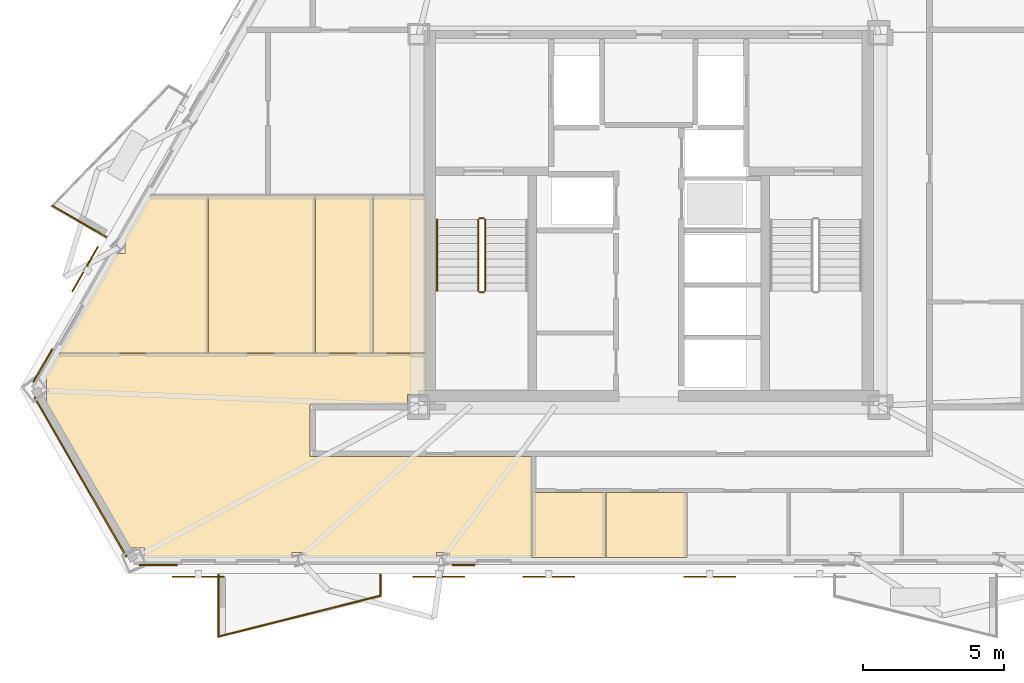
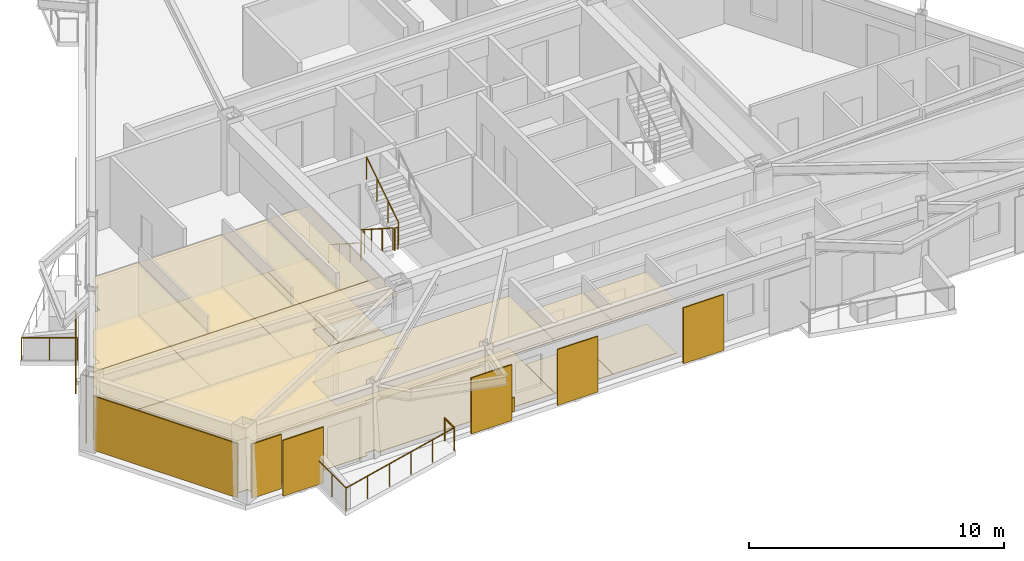
# One storey, part 6 of 10: 18 coverings, 9 railings, 5 shading devices.
"""IFC4 building model written with IfcOpenShell, lengths in metres."""

from ifc_helpers import new_model, si_unit, direction, frame, origin, origin_2d, place, context, subcontext, project, spatial, polyline, rectangle, circle, outline, extrude, material, layer, layer_set, type_object, element, save


model = new_model("IFC4")

# Units and contexts
model_context = context("Model", 3, precision=1e-05, world=origin(), true_north=direction((0.0, 1.0)))
body_context = subcontext(model_context, "Body", "Model", "MODEL_VIEW")
ifc_project = project(units=[si_unit("LENGTHUNIT", "METRE"), si_unit("AREAUNIT", "SQUARE_METRE"), si_unit("VOLUMEUNIT", "CUBIC_METRE"), si_unit("PLANEANGLEUNIT", "RADIAN"), si_unit("MASSUNIT", "GRAM", prefix="KILO")], contexts=[model_context])

# Site, building, storey
site_placement = place(None, origin())
site = spatial("IfcSite", under=ifc_project, at=site_placement, CompositionType="ELEMENT")
building_placement = place(site_placement, origin())
building = spatial("IfcBuilding", under=site, at=building_placement, Name="Oramaril Tower", CompositionType="ELEMENT")
storey_placement = place(building_placement, frame((0.0, 0.0, 209.10009765625)))
storey = spatial("IfcBuildingStorey", under=building, at=storey_placement, Name="L55", CompositionType="ELEMENT", Elevation=209.10009765625)

# Coverings
ifc_material_1 = material(Name="Mineral Fibre Acoustic Ceiling")
ifc_layer_1 = layer(ifc_material_1, 0.02001953125)
ifc_layer_set_1 = layer_set([ifc_layer_1], Name="CVT-CEIL")
covering_type_1 = type_object("IfcCoveringType", Name="CVT-CEIL", PredefinedType="CEILING", material=ifc_layer_set_1)
covering_1_placement = place(storey_placement, frame((0.0, 0.0, 2.511962890625)))
element("IfcCovering", 1, at=covering_1_placement, inside=storey, type_object=covering_type_1, Name="L55 Acoustic Suspended Ceiling 6", PredefinedType="CEILING", context=body_context, shape_type="SweptSolid", body=[
    extrude(outline(polyline([(35.9619140625, 5.625244140625), (33.35791015625, 5.625244140625), (33.35791015625, 7.9296875), (35.9619140625, 7.9296875), (35.9619140625, 5.625244140625)])), origin(), (0.0, 0.0, 1.0), 0.02001953125),
])
covering_2_placement = place(storey_placement, frame((0.0, 0.0, 2.511962890625)))
element("IfcCovering", 2, at=covering_2_placement, inside=storey, type_object=covering_type_1, Name="L55 Acoustic Suspended Ceiling 7", PredefinedType="CEILING", context=body_context, shape_type="SweptSolid", body=[
    extrude(outline(polyline([(35.98193359375, 5.625244140625), (35.98193359375, 7.9296875), (38.855712890625, 7.9296875), (38.855712890625, 5.625244140625), (35.98193359375, 5.625244140625)])), origin(), (0.0, 0.0, 1.0), 0.02001953125),
])
covering_3_placement = place(storey_placement, frame((0.0, 0.0, 2.511962890625)))
element("IfcCovering", 3, at=covering_3_placement, inside=storey, type_object=covering_type_1, Name="L55 Acoustic Suspended Ceiling 12", PredefinedType="CEILING", context=body_context, shape_type="SweptSolid", body=[
    extrude(outline(polyline([(29.60009765625, 12.839599609375), (29.60009765625, 11.39501953125), (28.955078125, 11.39501953125), (28.955078125, 11.050048828125), (25.52001953125, 11.050048828125), (25.51806640625, 11.0498046875), (25.51611328125, 11.049560546875), (25.51416015625, 11.049072265625), (25.51220703125, 11.048583984375), (25.510498046875, 11.047607421875), (25.5087890625, 11.046630859375), (25.50732421875, 11.04541015625), (25.505859375, 11.044189453125), (25.50439453125, 11.042724609375), (25.50341796875, 11.041015625), (25.50244140625, 11.039306640625), (25.50146484375, 11.03759765625), (25.5009765625, 11.035888671875), (25.50048828125, 11.033935546875), (25.5, 11.031982421875), (25.5, 11.030029296875), (25.5, 9.219970703125), (25.5, 9.218017578125), (25.50048828125, 9.216064453125), (25.5009765625, 9.214111328125), (25.50146484375, 9.21240234375), (25.50244140625, 9.210693359375), (25.50341796875, 9.208984375), (25.50439453125, 9.207275390625), (25.505859375, 9.205810546875), (25.50732421875, 9.20458984375), (25.5087890625, 9.203369140625), (25.510498046875, 9.202392578125), (25.51220703125, 9.201416015625), (25.51416015625, 9.200927734375), (25.51611328125, 9.200439453125), (25.51806640625, 9.2001953125), (25.52001953125, 9.199951171875), (33.337890625, 9.199951171875), (33.337890625, 7.94970703125), (33.338134765625, 7.94775390625), (33.33837890625, 7.94580078125), (33.3388671875, 7.94384765625), (33.339599609375, 7.94189453125), (33.34033203125, 7.940185546875), (33.3408203125, 7.939697265625), (33.34033203125, 7.939208984375), (33.339599609375, 7.9375), (33.3388671875, 7.935546875), (33.33837890625, 7.93359375), (33.338134765625, 7.931640625), (33.337890625, 7.9296875), (33.337890625, 5.625244140625), (30.42626953125, 5.625244140625), (30.42626953125, 5.80419921875), (29.975830078125, 5.80419921875), (29.975830078125, 5.625244140625), (25.32080078125, 5.625244140625), (25.32080078125, 5.80419921875), (24.86279296875, 5.80419921875), (24.86279296875, 5.625244140625), (19.63671875, 5.625244140625), (19.63671875, 5.954833984375), (19.138916015625, 5.954833984375), (16.126220703125, 11.172607421875), (16.168701171875, 11.172607421875), (16.168701171875, 11.970947265625), (16.0927734375, 11.970947265625), (16.59423828125, 12.839599609375), (29.60009765625, 12.839599609375)])), origin(), (0.0, 0.0, 1.0), 0.02001953125),
])
covering_4_placement = place(storey_placement, frame((0.0, 0.0, 2.511962890625)))
element("IfcCovering", 4, at=covering_4_placement, inside=storey, type_object=covering_type_1, Name="L55 Acoustic Suspended Ceiling 13", PredefinedType="CEILING", context=body_context, shape_type="SweptSolid", body=[
    extrude(outline(polyline([(18.640625, 16.384033203125), (18.940185546875, 16.384033203125), (18.940185546875, 16.873291015625), (18.923095703125, 16.873291015625), (19.828857421875, 18.44189453125), (21.88037109375, 18.44189453125), (21.88037109375, 12.859619140625), (16.605712890625, 12.859619140625), (18.640625, 16.384033203125)])), origin(), (0.0, 0.0, 1.0), 0.02001953125),
])
covering_5_placement = place(storey_placement, frame((0.0, 0.0, 2.511962890625)))
element("IfcCovering", 5, at=covering_5_placement, inside=storey, type_object=covering_type_1, Name="L55 Acoustic Suspended Ceiling 14", PredefinedType="CEILING", context=body_context, shape_type="SweptSolid", body=[
    extrude(outline(polyline([(25.681884765625, 18.44189453125), (25.681884765625, 12.859619140625), (21.900390625, 12.859619140625), (21.900390625, 18.44189453125), (25.681884765625, 18.44189453125)])), origin(), (0.0, 0.0, 1.0), 0.02001953125),
])
covering_6_placement = place(storey_placement, frame((0.0, 0.0, 2.511962890625)))
element("IfcCovering", 6, at=covering_6_placement, inside=storey, type_object=covering_type_1, Name="L55 Acoustic Suspended Ceiling 15", PredefinedType="CEILING", context=body_context, shape_type="SweptSolid", body=[
    extrude(outline(polyline([(27.73193359375, 18.44189453125), (27.73193359375, 12.859619140625), (25.701904296875, 12.859619140625), (25.701904296875, 18.44189453125), (27.73193359375, 18.44189453125)])), origin(), (0.0, 0.0, 1.0), 0.02001953125),
])
covering_7_placement = place(storey_placement, frame((0.0, 0.0, 2.511962890625)))
element("IfcCovering", 7, at=covering_7_placement, inside=storey, type_object=covering_type_1, Name="L55 Acoustic Suspended Ceiling 16", PredefinedType="CEILING", context=body_context, shape_type="SweptSolid", body=[
    extrude(outline(polyline([(29.60009765625, 18.44189453125), (29.60009765625, 12.859619140625), (27.751953125, 12.859619140625), (27.751953125, 18.44189453125), (29.60009765625, 18.44189453125)])), origin(), (0.0, 0.0, 1.0), 0.02001953125),
])
ifc_material_2 = material(Name="Warm Cream Limestone", Category="masonry")
ifc_layer_2 = layer(ifc_material_2, 0.050048828125)
ifc_layer_set_2 = layer_set([ifc_layer_2], Name="CVT-CLD")
covering_type_2 = type_object("IfcCoveringType", Name="CVT-CLD", PredefinedType="CLADDING", material=ifc_layer_set_2)
covering_8_placement = place(storey_placement, frame((17.364990234375, 8.47509765625, 0.0400390625), z_axis=(0.0, 0.0, 1.0), x_axis=(0.500003022996, -0.86602365845, 0.0)))
element("IfcCovering", 8, at=covering_8_placement, inside=storey, type_object=covering_type_2, Name="L55 Warm Cream Limestone Cladding", PredefinedType="CLADDING", context=body_context, shape_type="SweptSolid", body=[
    extrude(rectangle(XDim=6.52490234375, YDim=0.050048828125, at=origin_2d()), origin(), (0.0, 0.0, 1.0), 2.596923828125),
])
covering_9_placement = place(storey_placement, frame((20.11669921875, 5.349365234375, 0.0400390625), z_axis=(0.0, 0.0, 1.0), x_axis=(1.0, 0.0, 0.0)))
element("IfcCovering", 9, at=covering_9_placement, inside=storey, type_object=covering_type_2, Name="L55 Warm Cream Limestone Cladding", PredefinedType="CLADDING", context=body_context, shape_type="SweptSolid", body=[
    extrude(rectangle(XDim=1.35009765625, YDim=0.050048828125, at=origin_2d()), origin(), (0.0, 0.0, 1.0), 2.596923828125),
])
covering_10_placement = place(storey_placement, frame((30.93603515625, 5.349365234375, 0.0400390625), z_axis=(0.0, 0.0, 1.0), x_axis=(1.0, 0.0, 0.0)))
element("IfcCovering", 10, at=covering_10_placement, inside=storey, type_object=covering_type_2, Name="L55 Warm Cream Limestone Spandrel Cladding", PredefinedType="CLADDING", context=body_context, shape_type="SweptSolid", body=[
    extrude(rectangle(XDim=0.800048828125, YDim=0.050048828125, at=origin_2d()), origin(), (0.0, 0.0, 1.0), 0.679931640625),
])
covering_11_placement = place(storey_placement, frame((16.033935546875, 12.4208984375, 0.0400390625), z_axis=(0.0, 0.0, 1.0), x_axis=(-0.500001511499, -0.866024531118, 0.0)))
element("IfcCovering", 11, at=covering_11_placement, inside=storey, type_object=covering_type_2, Name="L55 Warm Cream Limestone Cladding", PredefinedType="CLADDING", context=body_context, shape_type="SweptSolid", body=[
    extrude(rectangle(XDim=1.35009765625, YDim=0.050048828125, at=origin_2d()), origin(), (0.0, 0.0, 1.0), 2.596923828125),
])
ifc_material_3 = material(Name="Honed Quartzite Stone Flooring", Category="masonry")
ifc_layer_3 = layer(ifc_material_3, 0.02490234375)
ifc_layer_set_3 = layer_set([ifc_layer_3], Name="CVT-FLR")
covering_type_3 = type_object("IfcCoveringType", Name="CVT-FLR", PredefinedType="FLOORING", material=ifc_layer_set_3)
covering_12_placement = place(storey_placement, origin())
element("IfcCovering", 12, at=covering_12_placement, inside=storey, type_object=covering_type_3, Name="L55 Honed Stone Floor Finish 6", PredefinedType="FLOORING", context=body_context, shape_type="SweptSolid", body=[
    extrude(outline(polyline([(35.9619140625, 5.625244140625), (33.35791015625, 5.625244140625), (33.35791015625, 7.9296875), (35.9619140625, 7.9296875), (35.9619140625, 5.625244140625)])), origin(), (0.0, 0.0, 1.0), 0.02490234375),
])
covering_13_placement = place(storey_placement, origin())
element("IfcCovering", 13, at=covering_13_placement, inside=storey, type_object=covering_type_3, Name="L55 Honed Stone Floor Finish 7", PredefinedType="FLOORING", context=body_context, shape_type="SweptSolid", body=[
    extrude(outline(polyline([(35.98193359375, 5.625244140625), (35.98193359375, 7.9296875), (38.855712890625, 7.9296875), (38.855712890625, 5.625244140625), (35.98193359375, 5.625244140625)])), origin(), (0.0, 0.0, 1.0), 0.02490234375),
])
covering_14_placement = place(storey_placement, origin())
element("IfcCovering", 14, at=covering_14_placement, inside=storey, type_object=covering_type_3, Name="L55 Honed Stone Floor Finish 12", PredefinedType="FLOORING", context=body_context, shape_type="SweptSolid", body=[
    extrude(outline(polyline([(29.60009765625, 12.839599609375), (29.60009765625, 11.39501953125), (28.955078125, 11.39501953125), (28.955078125, 11.050048828125), (25.52001953125, 11.050048828125), (25.51806640625, 11.0498046875), (25.51611328125, 11.049560546875), (25.51416015625, 11.049072265625), (25.51220703125, 11.048583984375), (25.510498046875, 11.047607421875), (25.5087890625, 11.046630859375), (25.50732421875, 11.04541015625), (25.505859375, 11.044189453125), (25.50439453125, 11.042724609375), (25.50341796875, 11.041015625), (25.50244140625, 11.039306640625), (25.50146484375, 11.03759765625), (25.5009765625, 11.035888671875), (25.50048828125, 11.033935546875), (25.5, 11.031982421875), (25.5, 11.030029296875), (25.5, 9.219970703125), (25.5, 9.218017578125), (25.50048828125, 9.216064453125), (25.5009765625, 9.214111328125), (25.50146484375, 9.21240234375), (25.50244140625, 9.210693359375), (25.50341796875, 9.208984375), (25.50439453125, 9.207275390625), (25.505859375, 9.205810546875), (25.50732421875, 9.20458984375), (25.5087890625, 9.203369140625), (25.510498046875, 9.202392578125), (25.51220703125, 9.201416015625), (25.51416015625, 9.200927734375), (25.51611328125, 9.200439453125), (25.51806640625, 9.2001953125), (25.52001953125, 9.199951171875), (33.337890625, 9.199951171875), (33.337890625, 7.94970703125), (33.338134765625, 7.94775390625), (33.33837890625, 7.94580078125), (33.3388671875, 7.94384765625), (33.339599609375, 7.94189453125), (33.34033203125, 7.940185546875), (33.3408203125, 7.939697265625), (33.34033203125, 7.939208984375), (33.339599609375, 7.9375), (33.3388671875, 7.935546875), (33.33837890625, 7.93359375), (33.338134765625, 7.931640625), (33.337890625, 7.9296875), (33.337890625, 5.625244140625), (30.42626953125, 5.625244140625), (30.42626953125, 5.80419921875), (29.975830078125, 5.80419921875), (29.975830078125, 5.625244140625), (25.32080078125, 5.625244140625), (25.32080078125, 5.80419921875), (24.86279296875, 5.80419921875), (24.86279296875, 5.625244140625), (19.63671875, 5.625244140625), (19.63671875, 5.954833984375), (19.138916015625, 5.954833984375), (16.126220703125, 11.172607421875), (16.168701171875, 11.172607421875), (16.168701171875, 11.970947265625), (16.0927734375, 11.970947265625), (16.59423828125, 12.839599609375), (29.60009765625, 12.839599609375)])), origin(), (0.0, 0.0, 1.0), 0.02490234375),
])
covering_15_placement = place(storey_placement, origin())
element("IfcCovering", 15, at=covering_15_placement, inside=storey, type_object=covering_type_3, Name="L55 Honed Stone Floor Finish 13", PredefinedType="FLOORING", context=body_context, shape_type="SweptSolid", body=[
    extrude(outline(polyline([(18.640625, 16.384033203125), (18.940185546875, 16.384033203125), (18.940185546875, 16.873291015625), (18.923095703125, 16.873291015625), (19.828857421875, 18.44189453125), (21.88037109375, 18.44189453125), (21.88037109375, 12.859619140625), (16.605712890625, 12.859619140625), (18.640625, 16.384033203125)])), origin(), (0.0, 0.0, 1.0), 0.02490234375),
])
covering_16_placement = place(storey_placement, origin())
element("IfcCovering", 16, at=covering_16_placement, inside=storey, type_object=covering_type_3, Name="L55 Honed Stone Floor Finish 14", PredefinedType="FLOORING", context=body_context, shape_type="SweptSolid", body=[
    extrude(outline(polyline([(25.681884765625, 18.44189453125), (25.681884765625, 12.859619140625), (21.900390625, 12.859619140625), (21.900390625, 18.44189453125), (25.681884765625, 18.44189453125)])), origin(), (0.0, 0.0, 1.0), 0.02490234375),
])
covering_17_placement = place(storey_placement, origin())
element("IfcCovering", 17, at=covering_17_placement, inside=storey, type_object=covering_type_3, Name="L55 Honed Stone Floor Finish 15", PredefinedType="FLOORING", context=body_context, shape_type="SweptSolid", body=[
    extrude(outline(polyline([(27.73193359375, 18.44189453125), (27.73193359375, 12.859619140625), (25.701904296875, 12.859619140625), (25.701904296875, 18.44189453125), (27.73193359375, 18.44189453125)])), origin(), (0.0, 0.0, 1.0), 0.02490234375),
])
covering_18_placement = place(storey_placement, origin())
element("IfcCovering", 18, at=covering_18_placement, inside=storey, type_object=covering_type_3, Name="L55 Honed Stone Floor Finish 16", PredefinedType="FLOORING", context=body_context, shape_type="SweptSolid", body=[
    extrude(outline(polyline([(29.60009765625, 18.44189453125), (29.60009765625, 12.859619140625), (27.751953125, 12.859619140625), (27.751953125, 18.44189453125), (29.60009765625, 18.44189453125)])), origin(), (0.0, 0.0, 1.0), 0.02490234375),
])

# Railings
ifc_material_4 = material(Name="Stainless Steel 316L", Category="steel")
railing_type_1 = type_object("IfcRailingType", Name="RLT-GRD", PredefinedType="GUARDRAIL", material=ifc_material_4)
railing_1_placement = place(storey_placement, frame((27.9912109375, 5.00927734375, 0.0)))
element("IfcRailing", 19, at=railing_1_placement, inside=storey, type_object=railing_type_1, Name="L55 Balcony Guardrail L55-BAL-S1.1", PredefinedType="GUARDRAIL", context=body_context, shape_type="SweptSolid", body=[
    extrude(circle(Radius=0.02392578125, at=origin_2d()), frame((0.0, 0.0, 1.076171875), z_axis=(0.0, -1.0, 0.0), x_axis=(1.0, 0.0, 0.0)), (0.0, 0.0, 1.0), 0.741943359375),
    extrude(circle(Radius=0.02099609375, at=origin_2d()), origin(), (0.0, 0.0, 1.0), 1.052001953125),
    extrude(circle(Radius=0.02099609375, at=origin_2d()), frame((0.0, -0.741943359375, 0.0)), (0.0, 0.0, 1.0), 1.052001953125),
])
railing_2_placement = place(storey_placement, frame((27.9912109375, 4.267333984375, 0.0)))
element("IfcRailing", 20, at=railing_2_placement, inside=storey, type_object=railing_type_1, Name="L55 Balcony Guardrail L55-BAL-S1.2", PredefinedType="GUARDRAIL", context=body_context, shape_type="SweptSolid", body=[
    extrude(circle(Radius=0.02392578125, at=origin_2d()), frame((0.0, 0.0, 1.076171875), z_axis=(-0.969443611257, -0.245314256807, 0.0), x_axis=(0.245314256807, -0.969443611257, 0.0)), (0.0, 0.0, 1.0), 5.91064453125),
    extrude(circle(Radius=0.02099609375, at=origin_2d()), origin(), (0.0, 0.0, 1.0), 1.052001953125),
    extrude(circle(Radius=0.02099609375, at=origin_2d()), frame((-1.14599609375, -0.2900390625, 0.0)), (0.0, 0.0, 1.0), 1.052001953125),
    extrude(circle(Radius=0.02099609375, at=origin_2d()), frame((-2.2919921875, -0.580078125, 0.0)), (0.0, 0.0, 1.0), 1.052001953125),
    extrude(circle(Radius=0.02099609375, at=origin_2d()), frame((-3.43798828125, -0.869873046875, 0.0)), (0.0, 0.0, 1.0), 1.052001953125),
    extrude(circle(Radius=0.02099609375, at=origin_2d()), frame((-4.583984375, -1.159912109375, 0.0)), (0.0, 0.0, 1.0), 1.052001953125),
    extrude(circle(Radius=0.02099609375, at=origin_2d()), frame((-5.72998046875, -1.449951171875, 0.0)), (0.0, 0.0, 1.0), 1.052001953125),
])
railing_3_placement = place(storey_placement, frame((22.26123046875, 2.8173828125, 0.0)))
element("IfcRailing", 21, at=railing_3_placement, inside=storey, type_object=railing_type_1, Name="L55 Balcony Guardrail L55-BAL-S1.3", PredefinedType="GUARDRAIL", context=body_context, shape_type="SweptSolid", body=[
    extrude(circle(Radius=0.02392578125, at=origin_2d()), frame((0.0, 0.0, 1.076171875), z_axis=(0.0, 1.0, 0.0), x_axis=(-1.0, 0.0, 0.0)), (0.0, 0.0, 1.0), 2.19189453125),
    extrude(circle(Radius=0.02099609375, at=origin_2d()), origin(), (0.0, 0.0, 1.0), 1.052001953125),
    extrude(circle(Radius=0.02099609375, at=origin_2d()), frame((0.0, 1.095947265625, 0.0)), (0.0, 0.0, 1.0), 1.052001953125),
    extrude(circle(Radius=0.02099609375, at=origin_2d()), frame((0.0, 2.19189453125, 0.0)), (0.0, 0.0, 1.0), 1.052001953125),
])
railing_4_placement = place(storey_placement, frame((18.274169921875, 16.981201171875, 0.0)))
element("IfcRailing", 22, at=railing_4_placement, inside=storey, type_object=railing_type_1, Name="L55 Balcony Guardrail L55-BAL-NW2.1", PredefinedType="GUARDRAIL", context=body_context, shape_type="SweptSolid", body=[
    extrude(circle(Radius=0.02392578125, at=origin_2d()), frame((0.0, 0.0, 1.076171875), z_axis=(-0.866000118559, 0.500043792738, 0.0), x_axis=(-0.500043792738, -0.866000118559, 0.0)), (0.0, 0.0, 1.0), 2.192138671875),
    extrude(circle(Radius=0.02099609375, at=origin_2d()), origin(), (0.0, 0.0, 1.0), 1.052001953125),
    extrude(circle(Radius=0.02099609375, at=origin_2d()), frame((-0.94921875, 0.548095703125, 0.0)), (0.0, 0.0, 1.0), 1.052001953125),
    extrude(circle(Radius=0.02099609375, at=origin_2d()), frame((-1.8984375, 1.09619140625, 0.0)), (0.0, 0.0, 1.0), 1.052001953125),
])
railing_5_placement = place(storey_placement, frame((31.4599609375, 17.590087890625, 0.179931640625)))
element("IfcRailing", 23, at=railing_5_placement, inside=storey, type_object=railing_type_1, Name="L55 ST-1 stair guard 1", PredefinedType="GUARDRAIL", context=body_context, shape_type="SweptSolid", body=[
    extrude(circle(Radius=0.02392578125, at=origin_2d()), frame((0.0, 0.0, 1.076171875), z_axis=(0.0, -0.841199657755, 0.540724639528), x_axis=(1.0, 0.0, 0.0)), (0.0, 0.0, 1.0), 2.995849609375),
    extrude(circle(Radius=0.02099609375, at=origin_2d()), origin(), (0.0, 0.0, 1.0), 1.052001953125),
    extrude(circle(Radius=0.02099609375, at=origin_2d()), frame((0.0, -0.840087890625, 0.5400390625)), (0.0, 0.0, 1.0), 1.052001953125),
    extrude(circle(Radius=0.02099609375, at=origin_2d()), frame((0.0, -1.679931640625, 1.079833984375)), (0.0, 0.0, 1.0), 1.052001953125),
    extrude(circle(Radius=0.02099609375, at=origin_2d()), frame((0.0, -2.52001953125, 1.619873046875)), (0.0, 0.0, 1.0), 1.052001953125),
])
railing_6_placement = place(storey_placement, frame((31.510009765625, 15.02001953125, 1.7998046875)))
element("IfcRailing", 24, at=railing_6_placement, inside=storey, type_object=railing_type_1, Name="L55 ST-1 stair guard 2", PredefinedType="GUARDRAIL", context=body_context, shape_type="SweptSolid", body=[
    extrude(circle(Radius=0.02392578125, at=origin_2d()), frame((0.0, 0.0, 1.076171875), z_axis=(1.0, 0.0, 0.0), x_axis=(0.0, 1.0, 0.0)), (0.0, 0.0, 1.0), 0.14990234375),
    extrude(circle(Radius=0.02099609375, at=origin_2d()), origin(), (0.0, 0.0, 1.0), 1.052001953125),
    extrude(circle(Radius=0.02099609375, at=origin_2d()), frame((0.14990234375, 0.0, 0.0)), (0.0, 0.0, 1.0), 1.052001953125),
])
railing_7_placement = place(storey_placement, frame((31.7099609375, 15.070068359375, 1.97998046875)))
element("IfcRailing", 25, at=railing_7_placement, inside=storey, type_object=railing_type_1, Name="L55 ST-1 stair guard 3", PredefinedType="GUARDRAIL", context=body_context, shape_type="SweptSolid", body=[
    extrude(circle(Radius=0.02392578125, at=origin_2d()), frame((0.0, 0.0, 1.076171875), z_axis=(0.0, 0.841199657755, 0.540724639528), x_axis=(-1.0, 0.0, 0.0)), (0.0, 0.0, 1.0), 2.995849609375),
    extrude(circle(Radius=0.02099609375, at=origin_2d()), origin(), (0.0, 0.0, 1.0), 1.052001953125),
    extrude(circle(Radius=0.02099609375, at=origin_2d()), frame((0.0, 0.840087890625, 0.5400390625)), (0.0, 0.0, 1.0), 1.052001953125),
    extrude(circle(Radius=0.02099609375, at=origin_2d()), frame((0.0, 1.679931640625, 1.079833984375)), (0.0, 0.0, 1.0), 1.052001953125),
    extrude(circle(Radius=0.02099609375, at=origin_2d()), frame((0.0, 2.52001953125, 1.619873046875)), (0.0, 0.0, 1.0), 1.052001953125),
])
railing_8_placement = place(storey_placement, frame((31.510009765625, 17.639892578125, 0.0)))
element("IfcRailing", 26, at=railing_8_placement, inside=storey, type_object=railing_type_1, Name="L55 ST-1 stair guard 4", PredefinedType="GUARDRAIL", context=body_context, shape_type="SweptSolid", body=[
    extrude(circle(Radius=0.02392578125, at=origin_2d()), frame((0.0, 0.0, 1.076171875), z_axis=(1.0, 0.0, 0.0), x_axis=(0.0, 1.0, 0.0)), (0.0, 0.0, 1.0), 0.14990234375),
    extrude(circle(Radius=0.02099609375, at=origin_2d()), origin(), (0.0, 0.0, 1.0), 1.052001953125),
    extrude(circle(Radius=0.02099609375, at=origin_2d()), frame((0.14990234375, 0.0, 0.0)), (0.0, 0.0, 1.0), 1.052001953125),
])
ifc_material_5 = material(Name="Stainless Steel 316L", Category="steel")
railing_type_2 = type_object("IfcRailingType", Name="RLT-HND", PredefinedType="HANDRAIL", material=ifc_material_5)
railing_9_placement = place(storey_placement, frame((30.0, 17.590087890625, 0.179931640625)))
element("IfcRailing", 27, at=railing_9_placement, inside=storey, type_object=railing_type_2, Name="L55 ST-1 stair handrail 1", PredefinedType="HANDRAIL", context=body_context, shape_type="SweptSolid", body=[
    extrude(circle(Radius=0.02392578125, at=origin_2d()), frame((0.0, 0.0, 0.8759765625), z_axis=(0.0, -0.841199657755, 0.540724639528), x_axis=(1.0, 0.0, 0.0)), (0.0, 0.0, 1.0), 2.995849609375),
    extrude(circle(Radius=0.02099609375, at=origin_2d()), origin(), (0.0, 0.0, 1.0), 0.851806640625),
    extrude(circle(Radius=0.02099609375, at=origin_2d()), frame((0.0, -0.840087890625, 0.5400390625)), (0.0, 0.0, 1.0), 0.851806640625),
    extrude(circle(Radius=0.02099609375, at=origin_2d()), frame((0.0, -1.679931640625, 1.079833984375)), (0.0, 0.0, 1.0), 0.851806640625),
    extrude(circle(Radius=0.02099609375, at=origin_2d()), frame((0.0, -2.52001953125, 1.619873046875)), (0.0, 0.0, 1.0), 0.851806640625),
])

# Shading devices
for number, where, z_axis, x_axis, name in (
    (28, (39.661376953125, 4.937255859375, -0.02001953125), (0.0, 0.0, 1.0), (1.0, 0.0, 0.0), "L55 Perforated Ceramic Solar Screen"),
    (29, (21.540283203125, 4.937255859375, -0.02001953125), (0.0, 0.0, 1.0), (1.0, 0.0, 0.0), "L55 Perforated Ceramic Solar Screen"),
    (30, (30.060791015625, 4.937255859375, -0.02001953125), (0.0, 0.0, 1.0), (1.0, 0.0, 0.0), "L55 Perforated Ceramic Solar Screen"),
    (31, (33.9609375, 4.937255859375, -0.02001953125), (0.0, 0.0, 1.0), (1.0, 0.0, 0.0), "L55 Perforated Ceramic Solar Screen"),
    (32, (17.532470703125, 15.8408203125, -0.02001953125), (0.0, 0.0, 1.0), (-0.500001511499, -0.866024531118, 0.0), "L55 Perforated Ceramic Solar Screen"),
):
    element("IfcShadingDevice", number, at=place(storey_placement, frame(where, z_axis=z_axis, x_axis=x_axis)), inside=storey, Name=name, ObjectType="SCREEN", PredefinedType="USERDEFINED", context=body_context, shape_type="SweptSolid", body=[
        extrude(rectangle(XDim=1.8330078125, YDim=0.050048828125, at=origin_2d()), origin(), (0.0, 0.0, 1.0), 2.677001953125),
    ])

save(model, "model.ifc")
